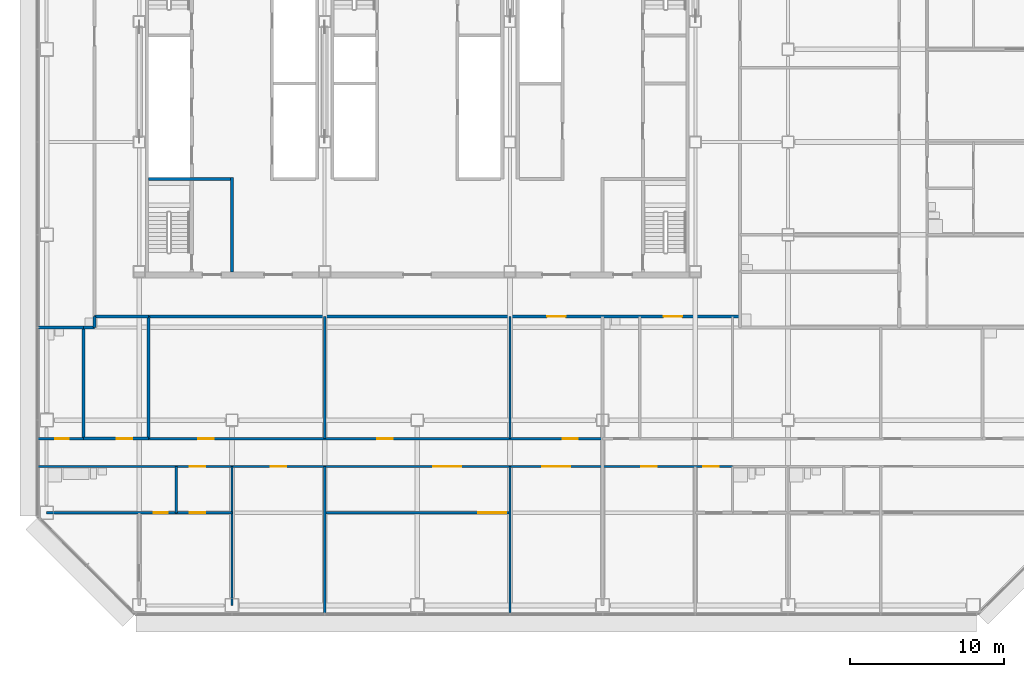
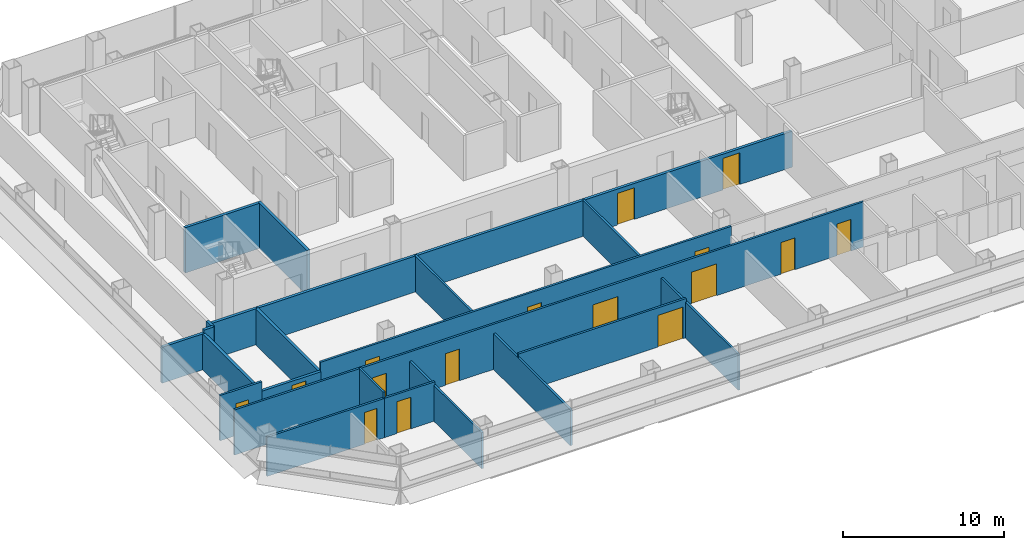
# One storey, part 20 of 27: 23 walls, 16 doors, 16 openings.
"""IFC4 building model written with IfcOpenShell, lengths in metres."""

import ifcopenshell
import ifcopenshell.guid

model = None  # the IFC model being written
_history = None  # IfcOwnerHistory: only IFC2X3 demands one
_inside = {}  # id of a spatial element -> (the spatial element, [elements in it])
_under = {}  # id of a project, library or spatial element -> (it, [spatial elements below it])
_declared = {}  # id of a project -> (the project, [libraries it declares])
_typed = {}  # id of a type object -> (the type object, [elements of that type])
_made_of = {}  # id of a material, layer set ... -> (it, [elements and type objects made of it])


def new_model(schema):
    """Start an empty IFC model of exactly this schema.

    Asked for "IFC4X3", IfcOpenShell would pick the latest addendum, in which some entities
    have other attributes; the version numbers below select the first issue.
    IFC2X3 requires an IfcOwnerHistory on every rooted entity: one is made here for all.
    """
    global model, _history
    if schema == "IFC4X3":
        model = ifcopenshell.file(schema_version=(4, 3, 0, 0))
    else:
        model = ifcopenshell.file(schema=schema)
    _inside.clear()
    _under.clear()
    _declared.clear()
    _typed.clear()
    _made_of.clear()
    _history = None
    if model.schema == "IFC2X3":
        org = make("IfcOrganization", Name="unknown")
        user = make(
            "IfcPersonAndOrganization",
            ThePerson=make("IfcPerson", FamilyName="unknown"),
            TheOrganization=org,
        )
        app = make(
            "IfcApplication",
            ApplicationDeveloper=org,
            Version="unknown",
            ApplicationFullName="unknown",
            ApplicationIdentifier="unknown",
        )
        _history = make(
            "IfcOwnerHistory",
            OwningUser=user,
            OwningApplication=app,
            ChangeAction="ADDED",
            CreationDate=0,
        )
    return model


def make(cls, **values):
    """One entity of the class cls with the attributes given. An attribute that is None is left unset."""
    return model.create_entity(
        cls, **{name: value for name, value in values.items() if value is not None}
    )


def rooted(cls, **values):
    """An entity with a GlobalId (a new one), such as an element, a storey or a relation."""
    return make(cls, GlobalId=ifcopenshell.guid.new(), OwnerHistory=_history, **values)


def si_unit(unit_type, name, prefix=None):
    """IfcSIUnit, for example si_unit("LENGTHUNIT", "METRE", prefix="MILLI")."""
    return make("IfcSIUnit", UnitType=unit_type, Prefix=prefix, Name=name)


def assignment(units):
    """IfcUnitAssignment: the units of a project."""
    return None if units is None else make("IfcUnitAssignment", Units=units)


def point(xyz):
    """IfcCartesianPoint."""
    return None if xyz is None else make("IfcCartesianPoint", Coordinates=xyz)


def direction(xyz):
    """IfcDirection."""
    return None if xyz is None else make("IfcDirection", DirectionRatios=xyz)


def frame(location, z_axis=None, x_axis=None):
    """IfcAxis2Placement3D, a coordinate frame: its origin and axes. An axis left out is left unset."""
    return make(
        "IfcAxis2Placement3D",
        Location=point(location),
        Axis=direction(z_axis),
        RefDirection=direction(x_axis),
    )


def frame_2d(location, x_axis=None):
    """IfcAxis2Placement2D, a coordinate frame in the plane: its origin and x axis."""
    return make(
        "IfcAxis2Placement2D", Location=point(location), RefDirection=direction(x_axis)
    )


def origin():
    """The frame at (0, 0, 0) with its axes left unset."""
    return frame((0.0, 0.0, 0.0))


def place(relative_to, where):
    """IfcLocalPlacement: puts the frame where relative to a parent placement (None: the world)."""
    return make(
        "IfcLocalPlacement", PlacementRelTo=relative_to, RelativePlacement=where
    )


def context(
    kind, dimensions, precision=None, world=None, true_north=None, identifier=None
):
    """IfcGeometricRepresentationContext, for example the 3D "Model" context."""
    return make(
        "IfcGeometricRepresentationContext",
        ContextIdentifier=identifier,
        ContextType=kind,
        CoordinateSpaceDimension=dimensions,
        Precision=precision,
        WorldCoordinateSystem=world,
        TrueNorth=true_north,
    )


def subcontext(parent, identifier, kind, view, scale=None):
    """IfcGeometricRepresentationSubContext, for example "Body" below "Model"."""
    return make(
        "IfcGeometricRepresentationSubContext",
        ContextIdentifier=identifier,
        ContextType=kind,
        ParentContext=parent,
        TargetScale=scale,
        TargetView=view,
    )


def project(units=None, contexts=None):
    """IfcProject with its units and contexts."""
    return rooted(
        "IfcProject",
        Name="project",
        RepresentationContexts=contexts,
        UnitsInContext=assignment(units),
    )


def spatial(cls, under=None, at=None, **own):
    """A site, building, storey or space (cls), placed at a placement, below another one or the project."""
    s = rooted(cls, ObjectPlacement=at, **own)
    if under is not None:
        _under.setdefault(under.id(), (under, []))[1].append(s)
    return s


def profile(cls, at=None, kind="AREA", **sizes):
    """A parametric profile (cls). Its sizes go by their IFC names, for example OverallWidth=200.0."""
    return make(cls, ProfileType=kind, Position=at, **sizes)


def rectangle(**sizes):
    """IfcRectangleProfileDef."""
    return profile("IfcRectangleProfileDef", **sizes)


def extrude(swept, where, along, depth):
    """IfcExtrudedAreaSolid: the profile swept, set in the frame where, extruded along a direction by depth."""
    return make(
        "IfcExtrudedAreaSolid",
        SweptArea=swept,
        Position=where,
        ExtrudedDirection=direction(along),
        Depth=depth,
    )


def shape(context_of_items, identifier, shape_type, items):
    """IfcShapeRepresentation: the items that make up one representation, for example the "Body"."""
    return make(
        "IfcShapeRepresentation",
        ContextOfItems=context_of_items,
        RepresentationIdentifier=identifier,
        RepresentationType=shape_type,
        Items=items,
    )


def material(Name=None, Category=None):
    """IfcMaterial."""
    return make("IfcMaterial", Name=Name, Category=Category)


def layer(
    of_material, thickness, ventilated=None, Name=None, Category=None, Priority=None
):
    """IfcMaterialLayer: one layer of a wall or slab, of a material (None: an air gap)."""
    return make(
        "IfcMaterialLayer",
        Material=of_material,
        LayerThickness=thickness,
        IsVentilated=ventilated,
        Name=Name,
        Category=Category,
        Priority=Priority,
    )


def layer_set(layers, Name=None):
    """IfcMaterialLayerSet."""
    return make("IfcMaterialLayerSet", MaterialLayers=layers, LayerSetName=Name)


def made_of(thing, what):
    """Note that an element or type object is made of a material, layer set ...; save() writes the relation."""
    if what is not None:
        _made_of.setdefault(what.id(), (what, []))[1].append(thing)
    return thing


def type_object(cls, material=None, **own):
    """A type object (cls), such as IfcWallType, which elements share."""
    return made_of(rooted(cls, **own), material)


def element(
    cls,
    number,
    at=None,
    inside=None,
    cuts=None,
    type_object=None,
    material=None,
    context=None,
    identifier="Body",
    shape_type=None,
    held_by="IfcProductDefinitionShape",
    body=None,
    shapes=None,
    **own,
):
    """One element of the class cls, such as IfcWall. Its Tag is "e" and its number.

    at: its placement. inside: the storey or other place that contains it. cuts: it is an
    opening in that element (IfcRelVoidsElement). A single representation is given by context,
    identifier, shape_type and body (its items); several are given by shapes. held_by: the class
    of the entity that holds the representations. save() writes the other relations.
    """
    e = rooted(cls, Tag="e%d" % number, ObjectPlacement=at, **own)
    if body is not None:
        shapes = [shape(context, identifier, shape_type, body)]
    if shapes is not None:
        e.Representation = make(held_by, Representations=shapes)
    if inside is not None:
        _inside.setdefault(inside.id(), (inside, []))[1].append(e)
    if cuts is not None:
        rooted(
            "IfcRelVoidsElement", RelatingBuildingElement=cuts, RelatedOpeningElement=e
        )
    if type_object is not None:
        _typed.setdefault(type_object.id(), (type_object, []))[1].append(e)
    return made_of(e, material)


def fill(opening, filler):
    """IfcRelFillsElement: the door or window that sits in an opening."""
    return rooted(
        "IfcRelFillsElement",
        RelatingOpeningElement=opening,
        RelatedBuildingElement=filler,
    )


def aggregate(whole, parts):
    """IfcRelAggregates: a whole, such as a stair, and the parts it consists of."""
    return rooted("IfcRelAggregates", RelatingObject=whole, RelatedObjects=parts)


def save(model, path):
    """Write the relations noted so far, then the file.

    IfcRelAggregates (storeys below a building ...), IfcRelContainedInSpatialStructure (elements
    in a storey), IfcRelDefinesByType, IfcRelAssociatesMaterial and IfcRelDeclares: one each for
    every whole, place, type object, material and project.
    """
    for whole, parts in _under.values():
        aggregate(whole, parts)
    for where, things in _inside.values():
        rooted(
            "IfcRelContainedInSpatialStructure",
            RelatedElements=things,
            RelatingStructure=where,
        )
    for kind, things in _typed.values():
        rooted("IfcRelDefinesByType", RelatedObjects=things, RelatingType=kind)
    for what, things in _made_of.values():
        rooted("IfcRelAssociatesMaterial", RelatedObjects=things, RelatingMaterial=what)
    for by, libraries in _declared.values():
        rooted("IfcRelDeclares", RelatingContext=by, RelatedDefinitions=libraries)
    model.write(path)


model = new_model("IFC4")

# Units and contexts
model_context = context("Model", 3, precision=1e-05, world=origin(), true_north=direction((0.0, 1.0)))
body_context = subcontext(model_context, "Body", "Model", "MODEL_VIEW")
ifc_project = project(units=[si_unit("LENGTHUNIT", "METRE"), si_unit("AREAUNIT", "SQUARE_METRE"), si_unit("VOLUMEUNIT", "CUBIC_METRE"), si_unit("PLANEANGLEUNIT", "RADIAN"), si_unit("MASSUNIT", "GRAM", prefix="KILO")], contexts=[model_context])

# Site, building, storey
site_placement = place(None, origin())
site = spatial("IfcSite", under=ifc_project, at=site_placement, CompositionType="ELEMENT")
building_placement = place(site_placement, origin())
building = spatial("IfcBuilding", under=site, at=building_placement, Name="Sorahane Residences", CompositionType="ELEMENT")
storey_placement = place(building_placement, frame((0.0, 0.0, 49.800048828125)))
storey = spatial("IfcBuildingStorey", under=building, at=storey_placement, Name="L08", CompositionType="ELEMENT", Elevation=49.800048828125)

# Wall
ifc_material_1 = material(Name="Concrete blockwork C20 wall", Category="masonry")
ifc_layer_1 = layer(ifc_material_1, 0.199951171875)
ifc_layer_set_1 = layer_set([ifc_layer_1], Name="Corridor wall 200 EI 120")
wall_type_1 = type_object("IfcWallType", Name="Corridor wall 200 EI 120", PredefinedType="SOLIDWALL", material=ifc_layer_set_1)
wall_1_placement = place(storey_placement, frame((-0.60009765625, 18.0, 0.0), z_axis=(0.0, 0.0, 1.0), x_axis=(1.0, 0.0, 0.0)))
element("IfcWall", 1, at=wall_1_placement, inside=storey, type_object=wall_type_1, Name="L08 corridor wall", PredefinedType="SOLIDWALL", context=body_context, shape_type="SweptSolid", body=[
    extrude(rectangle(XDim=3.0, YDim=0.199951171875, at=frame_2d((1.5, 0.0))), origin(), (0.0, 0.0, 1.0), 2.719970703125),
])

# Wall, openings, doors
wall_2_placement = place(storey_placement, frame((6.60009765625, 18.699951171875, 0.0), z_axis=(0.0, 0.0, 1.0), x_axis=(1.0, 0.0, 0.0)))
wall_2 = element("IfcWall", 2, at=wall_2_placement, inside=storey, type_object=wall_type_1, Name="L08 corridor wall", PredefinedType="SOLIDWALL", context=body_context, shape_type="SweptSolid", body=[
    extrude(rectangle(XDim=38.2998046875, YDim=0.199951171875, at=frame_2d((19.14990234375, 0.0))), origin(), (0.0, 0.0, 1.0), 2.719970703125),
])
opening_1_placement = place(wall_2_placement, frame((25.800048828125, 0.0, 0.0)))
opening_1 = element("IfcOpeningElement", 3, at=opening_1_placement, cuts=wall_2, Name="Opening L08-40", PredefinedType="OPENING", context=body_context, shape_type="SweptSolid", body=[
    extrude(rectangle(XDim=1.199951171875, YDim=2.39990234375, at=frame_2d((0.60009765625, 1.199951171875))), frame((0.0, 0.10986328125, 0.0), z_axis=(0.0, -1.0, 0.0), x_axis=(1.0, 0.0, 0.0)), (0.0, 0.0, 1.0), 0.219970703125),
])
opening_2_placement = place(wall_2_placement, frame((33.340087890625, 0.0, 0.0)))
opening_2 = element("IfcOpeningElement", 4, at=opening_2_placement, cuts=wall_2, Name="Opening L08-41", PredefinedType="OPENING", context=body_context, shape_type="SweptSolid", body=[
    extrude(rectangle(XDim=1.199951171875, YDim=2.39990234375, at=frame_2d((0.60009765625, 1.199951171875))), frame((0.0, 0.10986328125, 0.0), z_axis=(0.0, -1.0, 0.0), x_axis=(1.0, 0.0, 0.0)), (0.0, 0.0, 1.0), 0.219970703125),
])
ifc_material_2 = material(Name="Timber veneered fire door", Category="wood")
door_type_1 = type_object("IfcDoorType", Name="Flat entrance door 1200x2400 FD60", OperationType="NOTDEFINED", PredefinedType="DOOR", material=ifc_material_2)
door_1_placement = place(opening_1_placement, frame((1.199951171875, 0.0, 0.0), z_axis=(0.0, 0.0, 1.0), x_axis=(-1.0, 0.0, 0.0)))
door_1 = element("IfcDoor", 5, at=door_1_placement, inside=storey, type_object=door_type_1, Name="Flat entrance door L08-40", OperationType="SINGLE_SWING_RIGHT", OverallHeight=2.39990234375, OverallWidth=1.199951171875, PredefinedType="DOOR", context=body_context, shape_type="SweptSolid", body=[
    extrude(rectangle(XDim=1.199951171875, YDim=2.39990234375, at=frame_2d((0.60009765625, 1.199951171875))), frame((0.0, 0.02490234375, 0.0), z_axis=(0.0, -1.0, 0.0), x_axis=(1.0, 0.0, 0.0)), (0.0, 0.0, 1.0), 0.050048828125),
])
fill(opening_1, door_1)
door_2_placement = place(opening_2_placement, frame((1.199951171875, 0.0, 0.0), z_axis=(0.0, 0.0, 1.0), x_axis=(-1.0, 0.0, 0.0)))
door_2 = element("IfcDoor", 6, at=door_2_placement, inside=storey, type_object=door_type_1, Name="Flat entrance door L08-41", OperationType="SINGLE_SWING_RIGHT", OverallHeight=2.39990234375, OverallWidth=1.199951171875, PredefinedType="DOOR", context=body_context, shape_type="SweptSolid", body=[
    extrude(rectangle(XDim=1.199951171875, YDim=2.39990234375, at=frame_2d((0.60009765625, 1.199951171875))), frame((0.0, 0.02490234375, 0.0), z_axis=(0.0, -1.0, 0.0), x_axis=(1.0, 0.0, 0.0)), (0.0, 0.0, 1.0), 0.050048828125),
])
fill(opening_2, door_2)

# Walls
ifc_material_3 = material(Name="Concrete C30", Category="concrete")
ifc_layer_2 = layer(ifc_material_3, 0.199951171875)
ifc_layer_set_2 = layer_set([ifc_layer_2], Name="Front room wall 200 EI 120")
wall_type_2 = type_object("IfcWallType", Name="Front room wall 200 EI 120", PredefinedType="PARTITIONING", material=ifc_layer_set_2)
wall_3_placement = place(storey_placement, frame((12.0, 21.60009765625, 0.0), z_axis=(0.0, 0.0, 1.0), x_axis=(0.0, 1.0, 0.0)))
element("IfcWall", 7, at=wall_3_placement, inside=storey, type_object=wall_type_2, Name="L08 front room wall", PredefinedType="PARTITIONING", context=body_context, shape_type="SweptSolid", body=[
    extrude(rectangle(XDim=6.099853515625, YDim=0.199951171875, at=frame_2d((3.0498046875, 0.0))), origin(), (0.0, 0.0, 1.0), 3.419921875),
])
ifc_material_4 = material(Name="Concrete blockwork C20 wall", Category="masonry")
ifc_layer_3 = layer(ifc_material_4, 0.199951171875)
ifc_layer_set_3 = layer_set([ifc_layer_3], Name="Kitchen wall 200 EI 180")
wall_type_3 = type_object("IfcWallType", Name="Kitchen wall 200 EI 180", PredefinedType="SOLIDWALL", material=ifc_layer_set_3)
wall_4_placement = place(storey_placement, frame((2.39990234375, 10.800048828125, 0.0), z_axis=(0.0, 0.0, 1.0), x_axis=(0.0, 1.0, 0.0)))
element("IfcWall", 8, at=wall_4_placement, inside=storey, type_object=wall_type_3, Name="L08 kitchen wall", PredefinedType="SOLIDWALL", context=body_context, shape_type="SweptSolid", body=[
    extrude(rectangle(XDim=7.199951171875, YDim=0.199951171875, at=frame_2d((3.60009765625, 0.0))), origin(), (0.0, 0.0, 1.0), 2.719970703125),
])
wall_5_placement = place(storey_placement, frame((3.10009765625, 18.0, 0.0), z_axis=(0.0, 0.0, 1.0), x_axis=(0.0, 1.0, 0.0)))
element("IfcWall", 9, at=wall_5_placement, inside=storey, type_object=wall_type_3, Name="L08 kitchen wall", PredefinedType="SOLIDWALL", context=body_context, shape_type="SweptSolid", body=[
    extrude(rectangle(XDim=0.699951171875, YDim=0.199951171875, at=frame_2d((0.35009765625, 0.0))), origin(), (0.0, 0.0, 1.0), 2.969970703125),
])
wall_6_placement = place(storey_placement, frame((6.60009765625, 10.800048828125, 0.0), z_axis=(0.0, 0.0, 1.0), x_axis=(0.0, 1.0, 0.0)))
element("IfcWall", 10, at=wall_6_placement, inside=storey, type_object=wall_type_3, Name="L08 kitchen wall", PredefinedType="SOLIDWALL", context=body_context, shape_type="SweptSolid", body=[
    extrude(rectangle(XDim=7.89990234375, YDim=0.199951171875, at=frame_2d((3.949951171875, 0.0))), origin(), (0.0, 0.0, 1.0), 2.719970703125),
])

# Wall, opening, door
wall_7_placement = place(storey_placement, frame((2.39990234375, 10.800048828125, 0.0), z_axis=(0.0, 0.0, 1.0), x_axis=(1.0, 0.0, 0.0)))
wall_7 = element("IfcWall", 11, at=wall_7_placement, inside=storey, type_object=wall_type_3, Name="L08 kitchen wall", PredefinedType="SOLIDWALL", context=body_context, shape_type="SweptSolid", body=[
    extrude(rectangle(XDim=4.2001953125, YDim=0.199951171875, at=frame_2d((2.10009765625, 0.0))), origin(), (0.0, 0.0, 1.0), 2.719970703125),
])
opening_3_placement = place(wall_7_placement, frame((2.139892578125, 0.0, 0.0)))
opening_3 = element("IfcOpeningElement", 12, at=opening_3_placement, cuts=wall_7, Name="Opening L08-03", PredefinedType="OPENING", context=body_context, shape_type="SweptSolid", body=[
    extrude(rectangle(XDim=1.0, YDim=2.39990234375, at=frame_2d((0.5, 1.199951171875))), frame((0.0, 0.10986328125, 0.0), z_axis=(0.0, -1.0, 0.0), x_axis=(1.0, 0.0, 0.0)), (0.0, 0.0, 1.0), 0.219970703125),
])
ifc_material_5 = material(Name="Steel", Category="steel")
door_type_2 = type_object("IfcDoorType", Name="Kitchen door 1000x2400 FD120", OperationType="NOTDEFINED", PredefinedType="DOOR", material=ifc_material_5)
door_3_placement = place(opening_3_placement, origin())
door_3 = element("IfcDoor", 13, at=door_3_placement, inside=storey, type_object=door_type_2, Name="Kitchen door L08-03", OperationType="SINGLE_SWING_LEFT", OverallHeight=2.39990234375, OverallWidth=1.0, PredefinedType="DOOR", context=body_context, shape_type="SweptSolid", body=[
    extrude(rectangle(XDim=1.0, YDim=2.39990234375, at=frame_2d((0.5, 1.199951171875))), frame((0.0, 0.02490234375, 0.0), z_axis=(0.0, -1.0, 0.0), x_axis=(1.0, 0.0, 0.0)), (0.0, 0.0, 1.0), 0.050048828125),
])
fill(opening_3, door_3)

# Walls
wall_8_placement = place(storey_placement, frame((2.39990234375, 18.0, 0.0), z_axis=(0.0, 0.0, 1.0), x_axis=(1.0, 0.0, 0.0)))
element("IfcWall", 14, at=wall_8_placement, inside=storey, type_object=wall_type_3, Name="L08 kitchen wall", PredefinedType="SOLIDWALL", context=body_context, shape_type="SweptSolid", body=[
    extrude(rectangle(XDim=0.7001953125, YDim=0.199951171875, at=frame_2d((0.35009765625, 0.0))), origin(), (0.0, 0.0, 1.0), 2.969970703125),
])
wall_9_placement = place(storey_placement, frame((3.10009765625, 18.699951171875, 0.0), z_axis=(0.0, 0.0, 1.0), x_axis=(1.0, 0.0, 0.0)))
element("IfcWall", 15, at=wall_9_placement, inside=storey, type_object=wall_type_3, Name="L08 kitchen wall", PredefinedType="SOLIDWALL", context=body_context, shape_type="SweptSolid", body=[
    extrude(rectangle(XDim=3.5, YDim=0.199951171875, at=frame_2d((1.75, 0.0))), origin(), (0.0, 0.0, 1.0), 2.719970703125),
])
ifc_material_6 = material(Name="Gypsum board partition on steel studs", Category="steel")
ifc_layer_4 = layer(ifc_material_6, 0.14990234375)
ifc_layer_set_4 = layer_set([ifc_layer_4], Name="Partition 150 EI 90")
wall_type_4 = type_object("IfcWallType", Name="Partition 150 EI 90", PredefinedType="PARTITIONING", material=ifc_layer_set_4)
wall_10_placement = place(storey_placement, frame((12.0, 0.0, 0.0), z_axis=(0.0, 0.0, 1.0), x_axis=(0.0, 1.0, 0.0)))
element("IfcWall", 16, at=wall_10_placement, inside=storey, type_object=wall_type_4, Name="L08 partition", PredefinedType="PARTITIONING", context=body_context, shape_type="SweptSolid", body=[
    extrude(rectangle(XDim=9.0, YDim=0.14990234375, at=frame_2d((4.5, 0.0))), origin(), (0.0, 0.0, 1.0), 2.719970703125),
])
wall_11_placement = place(storey_placement, frame((18.0, -0.60009765625, 0.0), z_axis=(0.0, 0.0, 1.0), x_axis=(0.0, 1.0, 0.0)))
element("IfcWall", 17, at=wall_11_placement, inside=storey, type_object=wall_type_4, Name="L08 partition", PredefinedType="PARTITIONING", context=body_context, shape_type="SweptSolid", body=[
    extrude(rectangle(XDim=9.60009765625, YDim=0.14990234375, at=frame_2d((4.800048828125, 0.0))), origin(), (0.0, 0.0, 1.0), 2.719970703125),
])
wall_12_placement = place(storey_placement, frame((18.0, 10.800048828125, 0.0), z_axis=(0.0, 0.0, 1.0), x_axis=(0.0, 1.0, 0.0)))
element("IfcWall", 18, at=wall_12_placement, inside=storey, type_object=wall_type_4, Name="L08 partition", PredefinedType="PARTITIONING", context=body_context, shape_type="SweptSolid", body=[
    extrude(rectangle(XDim=7.89990234375, YDim=0.14990234375, at=frame_2d((3.949951171875, 0.0))), origin(), (0.0, 0.0, 1.0), 2.719970703125),
])
wall_13_placement = place(storey_placement, frame((30.0, -0.60009765625, 0.0), z_axis=(0.0, 0.0, 1.0), x_axis=(0.0, 1.0, 0.0)))
element("IfcWall", 19, at=wall_13_placement, inside=storey, type_object=wall_type_4, Name="L08 partition", PredefinedType="PARTITIONING", context=body_context, shape_type="SweptSolid", body=[
    extrude(rectangle(XDim=9.60009765625, YDim=0.14990234375, at=frame_2d((4.800048828125, 0.0))), origin(), (0.0, 0.0, 1.0), 2.719970703125),
])
wall_14_placement = place(storey_placement, frame((30.0, 10.800048828125, 0.0), z_axis=(0.0, 0.0, 1.0), x_axis=(0.0, 1.0, 0.0)))
element("IfcWall", 20, at=wall_14_placement, inside=storey, type_object=wall_type_4, Name="L08 partition", PredefinedType="PARTITIONING", context=body_context, shape_type="SweptSolid", body=[
    extrude(rectangle(XDim=7.89990234375, YDim=0.14990234375, at=frame_2d((3.949951171875, 0.0))), origin(), (0.0, 0.0, 1.0), 2.719970703125),
])

# Wall, openings, doors
wall_15_placement = place(storey_placement, frame((6.60009765625, 10.800048828125, 0.0), z_axis=(0.0, 0.0, 1.0), x_axis=(1.0, 0.0, 0.0)))
wall_15 = element("IfcWall", 21, at=wall_15_placement, inside=storey, type_object=wall_type_4, Name="L08 partition", PredefinedType="PARTITIONING", context=body_context, shape_type="SweptSolid", body=[
    extrude(rectangle(XDim=29.39990234375, YDim=0.14990234375, at=frame_2d((14.699951171875, 0.0))), origin(), (0.0, 0.0, 1.0), 3.419921875),
])
opening_4_placement = place(wall_15_placement, frame((26.800048828125, 0.0, 0.0)))
opening_4 = element("IfcOpeningElement", 22, at=opening_4_placement, cuts=wall_15, Name="Opening L08-01", PredefinedType="OPENING", context=body_context, shape_type="SweptSolid", body=[
    extrude(rectangle(XDim=1.0, YDim=2.39990234375, at=frame_2d((0.5, 1.199951171875))), frame((0.0, 0.0849609375, 0.0), z_axis=(0.0, -1.0, 0.0), x_axis=(1.0, 0.0, 0.0)), (0.0, 0.0, 1.0), 0.169921875),
])
opening_5_placement = place(wall_15_placement, frame((3.219970703125, 0.0, 0.0)))
opening_5 = element("IfcOpeningElement", 23, at=opening_5_placement, cuts=wall_15, Name="Opening L08-04", PredefinedType="OPENING", context=body_context, shape_type="SweptSolid", body=[
    extrude(rectangle(XDim=1.0, YDim=2.39990234375, at=frame_2d((0.5, 1.199951171875))), frame((0.0, 0.0849609375, 0.0), z_axis=(0.0, -1.0, 0.0), x_axis=(1.0, 0.0, 0.0)), (0.0, 0.0, 1.0), 0.169921875),
])
opening_6_placement = place(wall_15_placement, frame((14.800048828125, 0.0, 0.0)))
opening_6 = element("IfcOpeningElement", 24, at=opening_6_placement, cuts=wall_15, Name="Opening L08-05", PredefinedType="OPENING", context=body_context, shape_type="SweptSolid", body=[
    extrude(rectangle(XDim=1.0, YDim=2.39990234375, at=frame_2d((0.5, 1.199951171875))), frame((0.0, 0.0849609375, 0.0), z_axis=(0.0, -1.0, 0.0), x_axis=(1.0, 0.0, 0.0)), (0.0, 0.0, 1.0), 0.169921875),
])
ifc_material_7 = material(Name="Timber veneered fire door", Category="wood")
door_type_3 = type_object("IfcDoorType", Name="Room door 1000x2400 FD30", OperationType="NOTDEFINED", PredefinedType="DOOR", material=ifc_material_7)
door_4_placement = place(opening_4_placement, frame((1.0, 0.0, 0.0), z_axis=(0.0, 0.0, 1.0), x_axis=(-1.0, 0.0, 0.0)))
door_4 = element("IfcDoor", 25, at=door_4_placement, inside=storey, type_object=door_type_3, Name="Room door L08-01", OperationType="SINGLE_SWING_LEFT", OverallHeight=2.39990234375, OverallWidth=1.0, PredefinedType="DOOR", context=body_context, shape_type="SweptSolid", body=[
    extrude(rectangle(XDim=1.0, YDim=2.39990234375, at=frame_2d((0.5, 1.199951171875))), frame((0.0, 0.02490234375, 0.0), z_axis=(0.0, -1.0, 0.0), x_axis=(1.0, 0.0, 0.0)), (0.0, 0.0, 1.0), 0.050048828125),
])
fill(opening_4, door_4)
door_5_placement = place(opening_5_placement, origin())
door_5 = element("IfcDoor", 26, at=door_5_placement, inside=storey, type_object=door_type_3, Name="Room door L08-04", OperationType="SINGLE_SWING_LEFT", OverallHeight=2.39990234375, OverallWidth=1.0, PredefinedType="DOOR", context=body_context, shape_type="SweptSolid", body=[
    extrude(rectangle(XDim=1.0, YDim=2.39990234375, at=frame_2d((0.5, 1.199951171875))), frame((0.0, 0.02490234375, 0.0), z_axis=(0.0, -1.0, 0.0), x_axis=(1.0, 0.0, 0.0)), (0.0, 0.0, 1.0), 0.050048828125),
])
fill(opening_5, door_5)
door_6_placement = place(opening_6_placement, origin())
door_6 = element("IfcDoor", 27, at=door_6_placement, inside=storey, type_object=door_type_3, Name="Room door L08-05", OperationType="SINGLE_SWING_LEFT", OverallHeight=2.39990234375, OverallWidth=1.0, PredefinedType="DOOR", context=body_context, shape_type="SweptSolid", body=[
    extrude(rectangle(XDim=1.0, YDim=2.39990234375, at=frame_2d((0.5, 1.199951171875))), frame((0.0, 0.02490234375, 0.0), z_axis=(0.0, -1.0, 0.0), x_axis=(1.0, 0.0, 0.0)), (0.0, 0.0, 1.0), 0.050048828125),
])
fill(opening_6, door_6)

# Wall, opening, door
wall_16_placement = place(storey_placement, frame((8.39990234375, 6.0, 0.0), z_axis=(0.0, 0.0, 1.0), x_axis=(1.0, 0.0, 0.0)))
wall_16 = element("IfcWall", 28, at=wall_16_placement, inside=storey, type_object=wall_type_4, Name="L08 partition", PredefinedType="PARTITIONING", context=body_context, shape_type="SweptSolid", body=[
    extrude(rectangle(XDim=3.60009765625, YDim=0.14990234375, at=frame_2d((1.800048828125, 0.0))), origin(), (0.0, 0.0, 1.0), 2.969970703125),
])
opening_7_placement = place(wall_16_placement, frame((0.8798828125, 0.0, 0.0)))
opening_7 = element("IfcOpeningElement", 29, at=opening_7_placement, cuts=wall_16, Name="Opening L08-10", PredefinedType="OPENING", context=body_context, shape_type="SweptSolid", body=[
    extrude(rectangle(XDim=1.0, YDim=2.39990234375, at=frame_2d((0.5, 1.199951171875))), frame((0.0, 0.0849609375, 0.0), z_axis=(0.0, -1.0, 0.0), x_axis=(1.0, 0.0, 0.0)), (0.0, 0.0, 1.0), 0.169921875),
])
door_7_placement = place(opening_7_placement, frame((1.0, 0.0, 0.0), z_axis=(0.0, 0.0, 1.0), x_axis=(-1.0, 0.0, 0.0)))
door_7 = element("IfcDoor", 30, at=door_7_placement, inside=storey, type_object=door_type_3, Name="Room door L08-10", OperationType="SINGLE_SWING_RIGHT", OverallHeight=2.39990234375, OverallWidth=1.0, PredefinedType="DOOR", context=body_context, shape_type="SweptSolid", body=[
    extrude(rectangle(XDim=1.0, YDim=2.39990234375, at=frame_2d((0.5, 1.199951171875))), frame((0.0, 0.02490234375, 0.0), z_axis=(0.0, -1.0, 0.0), x_axis=(1.0, 0.0, 0.0)), (0.0, 0.0, 1.0), 0.050048828125),
])
fill(opening_7, door_7)

wall_17_placement = place(storey_placement, frame((18.0, 6.0, 0.0), z_axis=(0.0, 0.0, 1.0), x_axis=(1.0, 0.0, 0.0)))
wall_17 = element("IfcWall", 31, at=wall_17_placement, inside=storey, type_object=wall_type_4, Name="L08 partition", PredefinedType="PARTITIONING", context=body_context, shape_type="SweptSolid", body=[
    extrude(rectangle(XDim=12.0, YDim=0.14990234375, at=frame_2d((6.0, 0.0))), origin(), (0.0, 0.0, 1.0), 2.969970703125),
])
opening_8_placement = place(wall_17_placement, frame((9.949951171875, 0.0, 0.0)))
opening_8 = element("IfcOpeningElement", 32, at=opening_8_placement, cuts=wall_17, Name="Opening L08-13", PredefinedType="OPENING", context=body_context, shape_type="SweptSolid", body=[
    extrude(rectangle(XDim=1.800048828125, YDim=2.39990234375, at=frame_2d((0.89990234375, 1.199951171875))), frame((0.0, 0.0849609375, 0.0), z_axis=(0.0, -1.0, 0.0), x_axis=(1.0, 0.0, 0.0)), (0.0, 0.0, 1.0), 0.169921875),
])
ifc_material_8 = material(Name="Timber veneered fire door", Category="wood")
door_type_4 = type_object("IfcDoorType", Name="Double door 1800x2400 FD30", OperationType="NOTDEFINED", PredefinedType="DOOR", material=ifc_material_8)
door_8_placement = place(opening_8_placement, frame((1.800048828125, 0.0, 0.0), z_axis=(0.0, 0.0, 1.0), x_axis=(-1.0, 0.0, 0.0)))
door_8 = element("IfcDoor", 33, at=door_8_placement, inside=storey, type_object=door_type_4, Name="Double door L08-13", OperationType="SINGLE_SWING_LEFT", OverallHeight=2.39990234375, OverallWidth=1.800048828125, PredefinedType="DOOR", context=body_context, shape_type="SweptSolid", body=[
    extrude(rectangle(XDim=1.800048828125, YDim=2.39990234375, at=frame_2d((0.89990234375, 1.199951171875))), frame((0.0, 0.02490234375, 0.0), z_axis=(0.0, -1.0, 0.0), x_axis=(1.0, 0.0, 0.0)), (0.0, 0.0, 1.0), 0.050048828125),
])
fill(opening_8, door_8)

# Wall, openings, doors
wall_18_placement = place(storey_placement, frame((8.39990234375, 9.0, 0.0), z_axis=(0.0, 0.0, 1.0), x_axis=(1.0, 0.0, 0.0)))
wall_18 = element("IfcWall", 34, at=wall_18_placement, inside=storey, type_object=wall_type_4, Name="L08 partition", PredefinedType="PARTITIONING", context=body_context, shape_type="SweptSolid", body=[
    extrude(rectangle(XDim=36.0, YDim=0.14990234375, at=frame_2d((18.0, 0.0))), origin(), (0.0, 0.0, 1.0), 3.419921875),
])
opening_9_placement = place(wall_18_placement, frame((0.8798828125, 0.0, 0.0)))
opening_9 = element("IfcOpeningElement", 35, at=opening_9_placement, cuts=wall_18, Name="Opening L08-06", PredefinedType="OPENING", context=body_context, shape_type="SweptSolid", body=[
    extrude(rectangle(XDim=1.0, YDim=2.39990234375, at=frame_2d((0.5, 1.199951171875))), frame((0.0, 0.0849609375, 0.0), z_axis=(0.0, -1.0, 0.0), x_axis=(1.0, 0.0, 0.0)), (0.0, 0.0, 1.0), 0.169921875),
])
opening_10_placement = place(wall_18_placement, frame((6.10009765625, 0.0, 0.0)))
opening_10 = element("IfcOpeningElement", 36, at=opening_10_placement, cuts=wall_18, Name="Opening L08-07", PredefinedType="OPENING", context=body_context, shape_type="SweptSolid", body=[
    extrude(rectangle(XDim=1.0, YDim=2.39990234375, at=frame_2d((0.5, 1.199951171875))), frame((0.0, 0.0849609375, 0.0), z_axis=(0.0, -1.0, 0.0), x_axis=(1.0, 0.0, 0.0)), (0.0, 0.0, 1.0), 0.169921875),
])
opening_11_placement = place(wall_18_placement, frame((16.639892578125, 0.0, 0.0)))
opening_11 = element("IfcOpeningElement", 37, at=opening_11_placement, cuts=wall_18, Name="Opening L08-08", PredefinedType="OPENING", context=body_context, shape_type="SweptSolid", body=[
    extrude(rectangle(XDim=1.800048828125, YDim=2.39990234375, at=frame_2d((0.89990234375, 1.199951171875))), frame((0.0, 0.0849609375, 0.0), z_axis=(0.0, -1.0, 0.0), x_axis=(1.0, 0.0, 0.0)), (0.0, 0.0, 1.0), 0.169921875),
])
opening_12_placement = place(wall_18_placement, frame((23.699951171875, 0.0, 0.0)))
opening_12 = element("IfcOpeningElement", 38, at=opening_12_placement, cuts=wall_18, Name="Opening L08-09", PredefinedType="OPENING", context=body_context, shape_type="SweptSolid", body=[
    extrude(rectangle(XDim=1.800048828125, YDim=2.39990234375, at=frame_2d((0.89990234375, 1.199951171875))), frame((0.0, 0.0849609375, 0.0), z_axis=(0.0, -1.0, 0.0), x_axis=(1.0, 0.0, 0.0)), (0.0, 0.0, 1.0), 0.169921875),
])
opening_13_placement = place(wall_18_placement, frame((30.10009765625, 0.0, 0.0)))
opening_13 = element("IfcOpeningElement", 39, at=opening_13_placement, cuts=wall_18, Name="Opening L08-19", PredefinedType="OPENING", context=body_context, shape_type="SweptSolid", body=[
    extrude(rectangle(XDim=1.0, YDim=2.39990234375, at=frame_2d((0.5, 1.199951171875))), frame((0.0, 0.0849609375, 0.0), z_axis=(0.0, -1.0, 0.0), x_axis=(1.0, 0.0, 0.0)), (0.0, 0.0, 1.0), 0.169921875),
])
opening_14_placement = place(wall_18_placement, frame((34.1201171875, 0.0, 0.0)))
opening_14 = element("IfcOpeningElement", 40, at=opening_14_placement, cuts=wall_18, Name="Opening L08-20", PredefinedType="OPENING", context=body_context, shape_type="SweptSolid", body=[
    extrude(rectangle(XDim=1.0, YDim=2.39990234375, at=frame_2d((0.5, 1.199951171875))), frame((0.0, 0.0849609375, 0.0), z_axis=(0.0, -1.0, 0.0), x_axis=(1.0, 0.0, 0.0)), (0.0, 0.0, 1.0), 0.169921875),
])
door_9_placement = place(opening_11_placement, frame((1.800048828125, 0.0, 0.0), z_axis=(0.0, 0.0, 1.0), x_axis=(-1.0, 0.0, 0.0)))
door_9 = element("IfcDoor", 41, at=door_9_placement, inside=storey, type_object=door_type_4, Name="Double door L08-08", OperationType="SINGLE_SWING_RIGHT", OverallHeight=2.39990234375, OverallWidth=1.800048828125, PredefinedType="DOOR", context=body_context, shape_type="SweptSolid", body=[
    extrude(rectangle(XDim=1.800048828125, YDim=2.39990234375, at=frame_2d((0.89990234375, 1.199951171875))), frame((0.0, 0.02490234375, 0.0), z_axis=(0.0, -1.0, 0.0), x_axis=(1.0, 0.0, 0.0)), (0.0, 0.0, 1.0), 0.050048828125),
])
fill(opening_11, door_9)
door_10_placement = place(opening_12_placement, frame((1.800048828125, 0.0, 0.0), z_axis=(0.0, 0.0, 1.0), x_axis=(-1.0, 0.0, 0.0)))
door_10 = element("IfcDoor", 42, at=door_10_placement, inside=storey, type_object=door_type_4, Name="Double door L08-09", OperationType="SINGLE_SWING_LEFT", OverallHeight=2.39990234375, OverallWidth=1.800048828125, PredefinedType="DOOR", context=body_context, shape_type="SweptSolid", body=[
    extrude(rectangle(XDim=1.800048828125, YDim=2.39990234375, at=frame_2d((0.89990234375, 1.199951171875))), frame((0.0, 0.02490234375, 0.0), z_axis=(0.0, -1.0, 0.0), x_axis=(1.0, 0.0, 0.0)), (0.0, 0.0, 1.0), 0.050048828125),
])
fill(opening_12, door_10)
door_11_placement = place(opening_9_placement, frame((1.0, 0.0, 0.0), z_axis=(0.0, 0.0, 1.0), x_axis=(-1.0, 0.0, 0.0)))
door_11 = element("IfcDoor", 43, at=door_11_placement, inside=storey, type_object=door_type_3, Name="Room door L08-06", OperationType="SINGLE_SWING_LEFT", OverallHeight=2.39990234375, OverallWidth=1.0, PredefinedType="DOOR", context=body_context, shape_type="SweptSolid", body=[
    extrude(rectangle(XDim=1.0, YDim=2.39990234375, at=frame_2d((0.5, 1.199951171875))), frame((0.0, 0.02490234375, 0.0), z_axis=(0.0, -1.0, 0.0), x_axis=(1.0, 0.0, 0.0)), (0.0, 0.0, 1.0), 0.050048828125),
])
fill(opening_9, door_11)
door_12_placement = place(opening_10_placement, frame((1.0, 0.0, 0.0), z_axis=(0.0, 0.0, 1.0), x_axis=(-1.0, 0.0, 0.0)))
door_12 = element("IfcDoor", 44, at=door_12_placement, inside=storey, type_object=door_type_3, Name="Room door L08-07", OperationType="SINGLE_SWING_RIGHT", OverallHeight=2.39990234375, OverallWidth=1.0, PredefinedType="DOOR", context=body_context, shape_type="SweptSolid", body=[
    extrude(rectangle(XDim=1.0, YDim=2.39990234375, at=frame_2d((0.5, 1.199951171875))), frame((0.0, 0.02490234375, 0.0), z_axis=(0.0, -1.0, 0.0), x_axis=(1.0, 0.0, 0.0)), (0.0, 0.0, 1.0), 0.050048828125),
])
fill(opening_10, door_12)
door_13_placement = place(opening_13_placement, frame((1.0, 0.0, 0.0), z_axis=(0.0, 0.0, 1.0), x_axis=(-1.0, 0.0, 0.0)))
door_13 = element("IfcDoor", 45, at=door_13_placement, inside=storey, type_object=door_type_3, Name="Room door L08-19", OperationType="SINGLE_SWING_LEFT", OverallHeight=2.39990234375, OverallWidth=1.0, PredefinedType="DOOR", context=body_context, shape_type="SweptSolid", body=[
    extrude(rectangle(XDim=1.0, YDim=2.39990234375, at=frame_2d((0.5, 1.199951171875))), frame((0.0, 0.02490234375, 0.0), z_axis=(0.0, -1.0, 0.0), x_axis=(1.0, 0.0, 0.0)), (0.0, 0.0, 1.0), 0.050048828125),
])
fill(opening_13, door_13)
door_14_placement = place(opening_14_placement, frame((1.0, 0.0, 0.0), z_axis=(0.0, 0.0, 1.0), x_axis=(-1.0, 0.0, 0.0)))
door_14 = element("IfcDoor", 46, at=door_14_placement, inside=storey, type_object=door_type_3, Name="Room door L08-20", OperationType="SINGLE_SWING_LEFT", OverallHeight=2.39990234375, OverallWidth=1.0, PredefinedType="DOOR", context=body_context, shape_type="SweptSolid", body=[
    extrude(rectangle(XDim=1.0, YDim=2.39990234375, at=frame_2d((0.5, 1.199951171875))), frame((0.0, 0.02490234375, 0.0), z_axis=(0.0, -1.0, 0.0), x_axis=(1.0, 0.0, 0.0)), (0.0, 0.0, 1.0), 0.050048828125),
])
fill(opening_14, door_14)

# Walls
ifc_material_9 = material(Name="Concrete C30", Category="concrete")
ifc_layer_5 = layer(ifc_material_9, 0.199951171875)
ifc_layer_set_5 = layer_set([ifc_layer_5], Name="Stair enclosure wall 200 EI 120")
wall_type_5 = type_object("IfcWallType", Name="Stair enclosure wall 200 EI 120", PredefinedType="SOLIDWALL", material=ifc_layer_set_5)
wall_19_placement = place(storey_placement, frame((6.60009765625, 27.60009765625, 0.0), z_axis=(0.0, 0.0, 1.0), x_axis=(1.0, 0.0, 0.0)))
element("IfcWall", 47, at=wall_19_placement, inside=storey, type_object=wall_type_5, Name="L08 stair enclosure wall", PredefinedType="SOLIDWALL", context=body_context, shape_type="SweptSolid", body=[
    extrude(rectangle(XDim=5.2998046875, YDim=0.199951171875, at=frame_2d((2.64990234375, 0.0))), origin(), (0.0, 0.0, 1.0), 3.419921875),
])
ifc_material_10 = material(Name="Gypsum board partition on steel studs", Category="steel")
ifc_layer_6 = layer(ifc_material_10, 0.14990234375)
ifc_layer_set_6 = layer_set([ifc_layer_6], Name="Wet wall 150 EI 90")
wall_type_6 = type_object("IfcWallType", Name="Wet wall 150 EI 90", PredefinedType="PARTITIONING", material=ifc_layer_set_6)
wall_20_placement = place(storey_placement, frame((8.39990234375, 6.0, 0.0), z_axis=(0.0, 0.0, 1.0), x_axis=(0.0, 1.0, 0.0)))
element("IfcWall", 48, at=wall_20_placement, inside=storey, type_object=wall_type_6, Name="L08 wet wall", PredefinedType="PARTITIONING", context=body_context, shape_type="SweptSolid", body=[
    extrude(rectangle(XDim=3.0, YDim=0.14990234375, at=frame_2d((1.5, 0.0))), origin(), (0.0, 0.0, 1.0), 3.419921875),
])

# Wall, opening, door
wall_21_placement = place(storey_placement, frame((-0.60009765625, 10.800048828125, 0.0), z_axis=(0.0, 0.0, 1.0), x_axis=(1.0, 0.0, 0.0)))
wall_21 = element("IfcWall", 49, at=wall_21_placement, inside=storey, type_object=wall_type_6, Name="L08 wet wall", PredefinedType="PARTITIONING", context=body_context, shape_type="SweptSolid", body=[
    extrude(rectangle(XDim=3.0, YDim=0.14990234375, at=frame_2d((1.5, 0.0))), origin(), (0.0, 0.0, 1.0), 3.419921875),
])
opening_15_placement = place(wall_21_placement, frame((1.14990234375, 0.0, 0.0)))
opening_15 = element("IfcOpeningElement", 50, at=opening_15_placement, cuts=wall_21, Name="Opening L08-02", PredefinedType="OPENING", context=body_context, shape_type="SweptSolid", body=[
    extrude(rectangle(XDim=0.89990234375, YDim=2.39990234375, at=frame_2d((0.449951171875, 1.199951171875))), frame((0.0, 0.0849609375, 0.0), z_axis=(0.0, -1.0, 0.0), x_axis=(1.0, 0.0, 0.0)), (0.0, 0.0, 1.0), 0.169921875),
])
ifc_material_11 = material(Name="Timber veneered fire door", Category="wood")
door_type_5 = type_object("IfcDoorType", Name="Bathroom door 900x2400 FD30", OperationType="NOTDEFINED", PredefinedType="DOOR", material=ifc_material_11)
door_15_placement = place(opening_15_placement, frame((0.89990234375, 0.0, 0.0), z_axis=(0.0, 0.0, 1.0), x_axis=(-1.0, 0.0, 0.0)))
door_15 = element("IfcDoor", 51, at=door_15_placement, inside=storey, type_object=door_type_5, Name="Bathroom door L08-02", OperationType="SINGLE_SWING_RIGHT", OverallHeight=2.39990234375, OverallWidth=0.89990234375, PredefinedType="DOOR", context=body_context, shape_type="SweptSolid", body=[
    extrude(rectangle(XDim=0.89990234375, YDim=2.39990234375, at=frame_2d((0.449951171875, 1.199951171875))), frame((0.0, 0.02490234375, 0.0), z_axis=(0.0, -1.0, 0.0), x_axis=(1.0, 0.0, 0.0)), (0.0, 0.0, 1.0), 0.050048828125),
])
fill(opening_15, door_15)

wall_22_placement = place(storey_placement, frame((0.0, 6.0, 0.0), z_axis=(0.0, 0.0, 1.0), x_axis=(1.0, 0.0, 0.0)))
wall_22 = element("IfcWall", 52, at=wall_22_placement, inside=storey, type_object=wall_type_6, Name="L08 wet wall", PredefinedType="PARTITIONING", context=body_context, shape_type="SweptSolid", body=[
    extrude(rectangle(XDim=8.39990234375, YDim=0.14990234375, at=frame_2d((4.199951171875, 0.0))), origin(), (0.0, 0.0, 1.0), 2.969970703125),
])
opening_16_placement = place(wall_22_placement, frame((6.949951171875, 0.0, 0.0)))
opening_16 = element("IfcOpeningElement", 53, at=opening_16_placement, cuts=wall_22, Name="Opening L08-12", PredefinedType="OPENING", context=body_context, shape_type="SweptSolid", body=[
    extrude(rectangle(XDim=0.89990234375, YDim=2.39990234375, at=frame_2d((0.449951171875, 1.199951171875))), frame((0.0, 0.0849609375, 0.0), z_axis=(0.0, -1.0, 0.0), x_axis=(1.0, 0.0, 0.0)), (0.0, 0.0, 1.0), 0.169921875),
])
door_16_placement = place(opening_16_placement, frame((0.89990234375, 0.0, 0.0), z_axis=(0.0, 0.0, 1.0), x_axis=(-1.0, 0.0, 0.0)))
door_16 = element("IfcDoor", 54, at=door_16_placement, inside=storey, type_object=door_type_5, Name="Bathroom door L08-12", OperationType="SINGLE_SWING_LEFT", OverallHeight=2.39990234375, OverallWidth=0.89990234375, PredefinedType="DOOR", context=body_context, shape_type="SweptSolid", body=[
    extrude(rectangle(XDim=0.89990234375, YDim=2.39990234375, at=frame_2d((0.449951171875, 1.199951171875))), frame((0.0, 0.02490234375, 0.0), z_axis=(0.0, -1.0, 0.0), x_axis=(1.0, 0.0, 0.0)), (0.0, 0.0, 1.0), 0.050048828125),
])
fill(opening_16, door_16)

# Wall
wall_23_placement = place(storey_placement, frame((-0.60009765625, 9.0, 0.0), z_axis=(0.0, 0.0, 1.0), x_axis=(1.0, 0.0, 0.0)))
element("IfcWall", 55, at=wall_23_placement, inside=storey, type_object=wall_type_6, Name="L08 wet wall", PredefinedType="PARTITIONING", context=body_context, shape_type="SweptSolid", body=[
    extrude(rectangle(XDim=9.0, YDim=0.14990234375, at=frame_2d((4.5, 0.0))), origin(), (0.0, 0.0, 1.0), 3.419921875),
])

save(model, "model.ifc")
